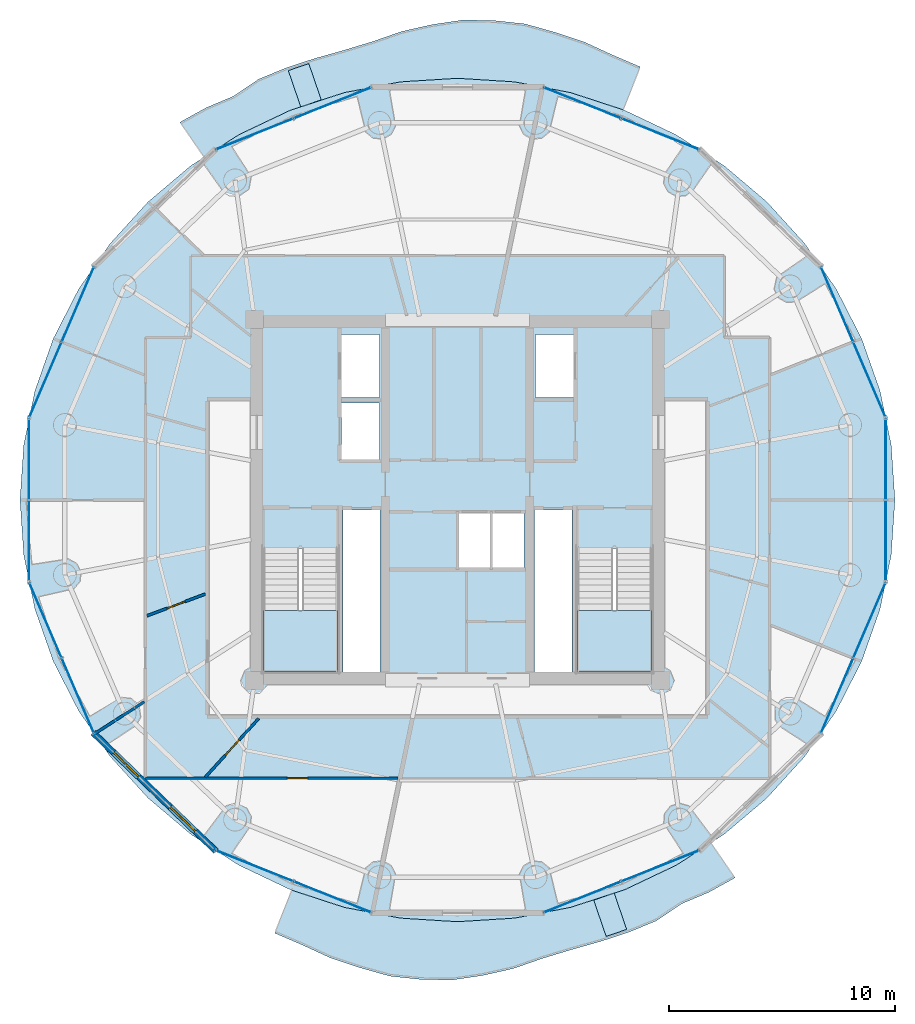
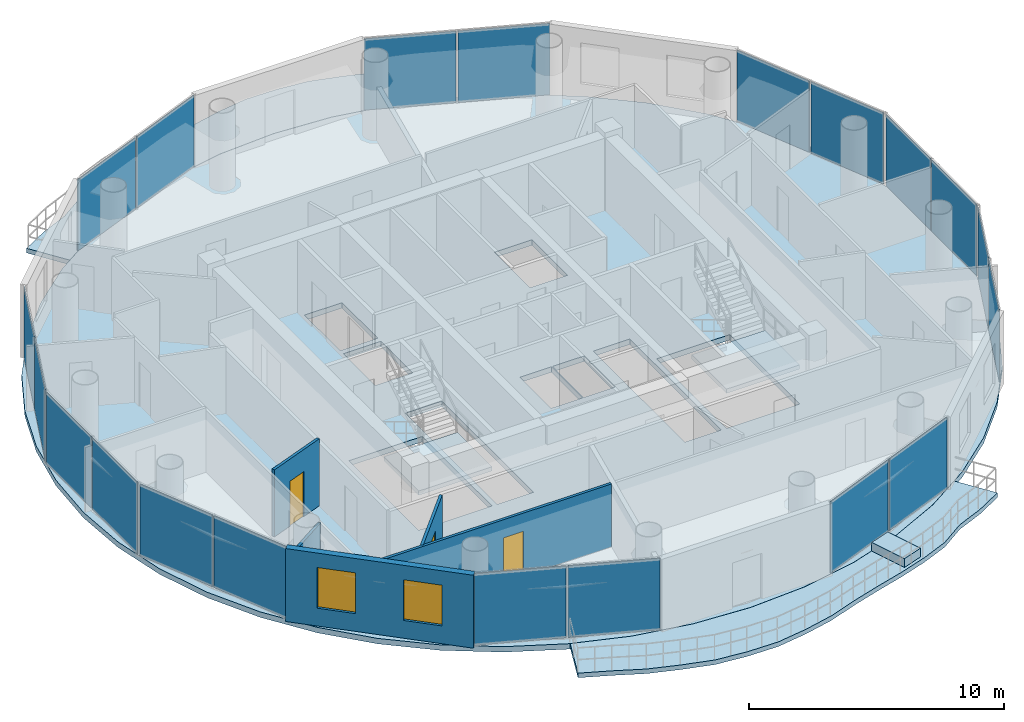
# One storey, part 13 of 21: 20 plates, 7 slabs, 5 walls, 3 doors, 2 windows, 5 openings, 12 elements without a shape of their own.
"""IFC4 building model written with IfcOpenShell, lengths in metres."""

from ifc_helpers import new_model, si_unit, direction, frame, frame_2d, origin, origin_2d, place, context, subcontext, project, spatial, polyline, rectangle, outline, extrude, source, transform, mapped, material, layer, layer_set, type_object, element, fill, aggregate, save


model = new_model("IFC4")

# Units and contexts
model_context = context("Model", 3, precision=1e-05, world=origin(), true_north=direction((-0.2419218956, 0.970295726276)))
body_context = subcontext(model_context, "Body", "Model", "MODEL_VIEW")
ifc_project = project(units=[si_unit("LENGTHUNIT", "METRE"), si_unit("AREAUNIT", "SQUARE_METRE"), si_unit("VOLUMEUNIT", "CUBIC_METRE"), si_unit("PLANEANGLEUNIT", "RADIAN"), si_unit("MASSUNIT", "GRAM", prefix="KILO")], contexts=[model_context])

# Site, building, storey
site_placement = place(None, origin())
site = spatial("IfcSite", under=ifc_project, at=site_placement, CompositionType="ELEMENT")
building_placement = place(site_placement, origin())
building = spatial("IfcBuilding", under=site, at=building_placement, Name="Cobrevalo Terracotta Tower", CompositionType="ELEMENT")
storey_placement = place(building_placement, frame((0.0, 0.0, 285.699951171875)))
storey = spatial("IfcBuildingStorey", under=building, at=storey_placement, Name="L75", CompositionType="ELEMENT", Elevation=285.699951171875)

# Stair, slab
ifc_material_1 = material(Name="Concrete C50", Category="concrete")
stair_type = type_object("IfcStairType", Name="Core protected escape dogleg stair 1600", PredefinedType="HALF_TURN_STAIR", material=ifc_material_1)
stair_1_placement = place(storey_placement, origin())
stair_1 = element("IfcStair", 1, at=stair_1_placement, inside=storey, type_object=stair_type, Name="L75 Protected exit stair ST-1", PredefinedType="HALF_TURN_STAIR")
ifc_layer_1 = layer(ifc_material_1, 0.199951171875)
ifc_layer_set_1 = layer_set([ifc_layer_1], Name="Concrete C50")
slab_type_1 = type_object("IfcSlabType", Name="Reinforced Concrete Stair Landing 200", PredefinedType="LANDING", material=ifc_layer_set_1)
slab_1_placement = place(storey_placement, frame((0.0, 0.0, 1.675048828125)))
slab_1 = element("IfcSlab", 2, at=slab_1_placement, type_object=slab_type_1, Name="ST-1 landing 1", PredefinedType="LANDING", context=body_context, shape_type="SweptSolid", body=[
    extrude(outline(polyline([(29.375, 21.89990234375), (29.375, 19.175048828125), (32.695068359375, 19.175048828125), (32.695068359375, 21.89990234375), (29.375, 21.89990234375)])), origin(), (0.0, 0.0, 1.0), 0.199951171875),
])
aggregate(stair_1, [slab_1])

stair_2_placement = place(storey_placement, origin())
stair_2 = element("IfcStair", 3, at=stair_2_placement, inside=storey, type_object=stair_type, Name="L75 Protected exit stair ST-2", PredefinedType="HALF_TURN_STAIR")
slab_2_placement = place(storey_placement, frame((0.0, 0.0, 1.675048828125)))
slab_2 = element("IfcSlab", 4, at=slab_2_placement, type_object=slab_type_1, Name="ST-2 landing 1", PredefinedType="LANDING", context=body_context, shape_type="SweptSolid", body=[
    extrude(outline(polyline([(43.304931640625, 21.89990234375), (43.304931640625, 19.175048828125), (46.625, 19.175048828125), (46.625, 21.89990234375), (43.304931640625, 21.89990234375)])), origin(), (0.0, 0.0, 1.0), 0.199951171875),
])
aggregate(stair_2, [slab_2])

# Slabs
ifc_material_2 = material(Name="Concrete C45", Category="concrete")
ifc_layer_2 = layer(ifc_material_2, 0.219970703125)
ifc_layer_set_2 = layer_set([ifc_layer_2], Name="Concrete C45")
slab_type_2 = type_object("IfcSlabType", Name="Spiralling cantilevered balcony lobe slab 220 mm", PredefinedType="FLOOR", material=ifc_layer_set_2)
slab_3_placement = place(storey_placement, frame((0.0, 0.0, -0.219970703125)))
element("IfcSlab", 5, at=slab_3_placement, inside=storey, type_object=slab_type_2, Name="L75 spiralling arc balcony slab lobe 1", PredefinedType="FLOOR", context=body_context, shape_type="SweptSolid", body=[
    extrude(outline(polyline([(46.104248046875, 46.007080078125), (44.865478515625, 46.53759765625), (43.623046875, 47.11083984375), (42.3203125, 47.541748046875), (40.988525390625, 47.915771484375), (39.6162109375, 48.061279296875), (38.23583984375, 48.08544921875), (36.8671875, 47.88134765625), (35.524169921875, 47.577392578125), (34.228515625, 47.127685546875), (32.9443359375, 46.738037109375), (31.665283203125, 46.379150390625), (30.401611328125, 45.964599609375), (29.176513671875, 45.458984375), (28.071533203125, 44.709228515625), (26.853759765625, 44.1953125), (25.69482421875, 43.553955078125), (26.759033203125, 42.004638671875), (28.299072265625, 42.996337890625), (30.5751953125, 44.078369140625), (32.978271484375, 44.86474609375), (35.467529296875, 45.342041015625), (38.0, 45.501953125), (40.532470703125, 45.342041015625), (43.021728515625, 44.86474609375), (45.352294921875, 44.10205078125), (46.104248046875, 46.007080078125)])), origin(), (0.0, 0.0, 1.0), 0.219970703125),
])
slab_4_placement = place(storey_placement, frame((0.0, 0.0, -0.219970703125)))
element("IfcSlab", 6, at=slab_4_placement, inside=storey, type_object=slab_type_2, Name="L75 spiralling arc balcony slab lobe 2", PredefinedType="FLOOR", context=body_context, shape_type="SweptSolid", body=[
    extrude(outline(polyline([(29.895751953125, 7.593017578125), (31.134521484375, 7.062255859375), (32.376953125, 6.489013671875), (33.6796875, 6.058349609375), (35.011474609375, 5.68408203125), (36.3837890625, 5.538818359375), (37.76416015625, 5.5146484375), (39.1328125, 5.71875), (40.475830078125, 6.0224609375), (41.771484375, 6.472412109375), (43.0556640625, 6.86181640625), (44.334716796875, 7.220947265625), (45.598388671875, 7.635498046875), (46.823486328125, 8.14111328125), (47.928466796875, 8.890625), (49.146240234375, 9.40478515625), (50.30517578125, 10.046142578125), (49.240966796875, 11.595458984375), (47.700927734375, 10.603515625), (45.4248046875, 9.521484375), (43.021728515625, 8.7353515625), (40.532470703125, 8.258056640625), (38.0, 8.097900390625), (35.467529296875, 8.258056640625), (32.978271484375, 8.7353515625), (30.647705078125, 9.497802734375), (29.895751953125, 7.593017578125)])), origin(), (0.0, 0.0, 1.0), 0.219970703125),
])
ifc_material_3 = material(Name="Precast concrete C45", Category="concrete")
ifc_layer_3 = layer(ifc_material_3, 0.419921875)
ifc_layer_set_3 = layer_set([ifc_layer_3], Name="Precast concrete C45")
slab_type_3 = type_object("IfcSlabType", Name="Structural tree planter trough base 420 mm", PredefinedType="USERDEFINED", material=ifc_layer_set_3)
slab_5_placement = place(storey_placement, origin())
element("IfcSlab", 7, at=slab_5_placement, inside=storey, type_object=slab_type_3, Name="L75 structural tree planter trough 1", ObjectType="PLANTER", PredefinedType="USERDEFINED", context=body_context, shape_type="SweptSolid", body=[
    extrude(outline(polyline([(31.958251953125, 44.544677734375), (31.406494140625, 46.152587890625), (30.49853515625, 45.841064453125), (31.050048828125, 44.233154296875), (31.958251953125, 44.544677734375)])), origin(), (0.0, 0.0, 1.0), 0.420166015625),
])
slab_6_placement = place(storey_placement, origin())
element("IfcSlab", 8, at=slab_6_placement, inside=storey, type_object=slab_type_3, Name="L75 structural tree planter trough 2", ObjectType="PLANTER", PredefinedType="USERDEFINED", context=body_context, shape_type="SweptSolid", body=[
    extrude(outline(polyline([(44.041748046875, 9.055419921875), (44.593505859375, 7.447265625), (45.50146484375, 7.759033203125), (44.949951171875, 9.366943359375), (44.041748046875, 9.055419921875)])), origin(), (0.0, 0.0, 1.0), 0.420166015625),
])
ifc_layer_4 = layer(ifc_material_2, 0.260009765625)
ifc_layer_set_4 = layer_set([ifc_layer_4], Name="Concrete C45")
slab_type_4 = type_object("IfcSlabType", Name="Zone Z5 elliptical floor plate 260 mm", PredefinedType="FLOOR", material=ifc_layer_set_4)
slab_7_placement = place(storey_placement, frame((0.0, 0.0, -0.260009765625)))
element("IfcSlab", 9, at=slab_7_placement, inside=storey, type_object=slab_type_4, Name="L75 indoor elliptical floor slab", PredefinedType="FLOOR", context=body_context, shape_type="SweptSolid", body=[
    extrude(outline(polyline([(57.234130859375, 24.359130859375), (56.739013671875, 21.9599609375), (55.92333984375, 19.643798828125), (54.80078125, 17.449951171875), (53.39111328125, 15.416259765625), (51.7177734375, 13.5771484375), (49.81005859375, 11.96435546875), (47.699951171875, 10.605224609375), (45.424072265625, 9.5234375), (43.02099609375, 8.7373046875), (40.5322265625, 8.260009765625), (38.0, 8.10009765625), (35.4677734375, 8.260009765625), (32.97900390625, 8.7373046875), (30.575927734375, 9.5234375), (28.300048828125, 10.605224609375), (26.18994140625, 11.96435546875), (24.2822265625, 13.5771484375), (22.60888671875, 15.416259765625), (21.19921875, 17.449951171875), (20.07666015625, 19.643798828125), (19.260986328125, 21.9599609375), (18.765869140625, 24.359130859375), (18.60009765625, 26.800048828125), (18.765869140625, 29.24072265625), (19.260986328125, 31.639892578125), (20.07666015625, 33.956298828125), (21.19921875, 36.14990234375), (22.60888671875, 38.183837890625), (24.2822265625, 40.02294921875), (26.18994140625, 41.6357421875), (28.300048828125, 42.99462890625), (30.575927734375, 44.07666015625), (32.97900390625, 44.86279296875), (35.4677734375, 45.340087890625), (38.0, 45.5), (40.5322265625, 45.340087890625), (43.02099609375, 44.86279296875), (45.424072265625, 44.07666015625), (47.699951171875, 42.99462890625), (49.81005859375, 41.6357421875), (51.7177734375, 40.02294921875), (53.39111328125, 38.183837890625), (54.80078125, 36.14990234375), (55.92333984375, 33.956298828125), (56.739013671875, 31.639892578125), (57.234130859375, 29.24072265625), (57.39990234375, 26.800048828125), (57.234130859375, 24.359130859375)]), holes=[polyline([(32.695068359375, 19.175048828125), (32.695068359375, 24.659912109375), (29.375, 24.659912109375), (29.375, 19.175048828125), (32.695068359375, 19.175048828125)]), polyline([(46.625, 19.175048828125), (46.625, 24.659912109375), (43.304931640625, 24.659912109375), (43.304931640625, 19.175048828125), (46.625, 19.175048828125)]), polyline([(34.574951171875, 26.360107421875), (32.919921875, 26.360107421875), (32.919921875, 19.175048828125), (34.574951171875, 19.175048828125), (34.574951171875, 26.360107421875)]), polyline([(43.080078125, 26.360107421875), (41.425048828125, 26.360107421875), (41.425048828125, 19.175048828125), (43.080078125, 19.175048828125), (43.080078125, 26.360107421875)]), polyline([(39.469970703125, 26.25), (38.0400390625, 26.25), (38.0400390625, 23.800048828125), (39.469970703125, 23.800048828125), (39.469970703125, 26.25)]), polyline([(40.949951171875, 26.25), (39.52001953125, 26.25), (39.52001953125, 23.800048828125), (40.949951171875, 23.800048828125), (40.949951171875, 26.25)]), polyline([(34.550048828125, 31.10009765625), (32.85009765625, 31.10009765625), (32.85009765625, 28.60009765625), (34.550048828125, 28.60009765625), (34.550048828125, 31.10009765625)]), polyline([(34.550048828125, 31.35009765625), (34.550048828125, 34.14990234375), (32.85009765625, 34.14990234375), (32.85009765625, 31.35009765625), (34.550048828125, 31.35009765625)]), polyline([(43.14990234375, 31.35009765625), (43.14990234375, 34.14990234375), (41.449951171875, 34.14990234375), (41.449951171875, 31.35009765625), (43.14990234375, 31.35009765625)])]), origin(), (0.0, 0.0, 1.0), 0.260009765625),
])

# Curtain wall, plates
ifc_material_4 = material(Name="Anodized aluminium", Category="aluminium")
curtain_wall_type = type_object("IfcCurtainWallType", Name="Upper-tower triple-glazed penthouse curtain wall CW-U3", PredefinedType="NOTDEFINED", material=ifc_material_4)
curtain_wall_1_placement = place(storey_placement, origin())
curtain_wall_1 = element("IfcCurtainWall", 10, at=curtain_wall_1_placement, inside=storey, type_object=curtain_wall_type, Name="L75 curtain wall CW-L75-S03", PredefinedType="NOTDEFINED")
ifc_material_5 = material(Name="Solar-control low-E double glazing", Category="glass")
ifc_layer_5 = layer(ifc_material_5, 0.028076171875)
ifc_layer_set_5 = layer_set([ifc_layer_5], Name="Solar-control low-E double glazing")
plate_type = type_object("IfcPlateType", Name="Tower solar-control low-E vision glass panel 28 mm", PredefinedType="CURTAIN_PANEL", material=ifc_layer_set_5)
shared_shape_1 = source(origin(), body_context, "Body", "SweptSolid", [
    extrude(rectangle(XDim=3.63916015625, YDim=0.035888671875, at=origin_2d()), origin(), (0.0, 0.0, 1.0), 3.409912109375),
])
plate_1_placement = place(storey_placement, frame((46.997314453125, 43.02783203125, 0.0400390625), z_axis=(0.0, 0.0, 1.0), x_axis=(-0.92871833374, 0.370785998353, 0.0)))
plate_1 = element("IfcPlate", 11, at=plate_1_placement, type_object=plate_type, Name="CW-L75-S03 glazing panel B01", PredefinedType="CURTAIN_PANEL", context=body_context, shape_type="MappedRepresentation", body=[
    mapped(shared_shape_1, transform((0.0, 0.0, 0.0), scale=1.0)),
])
plate_2_placement = place(storey_placement, frame((43.543212890625, 44.406982421875, 0.0400390625), z_axis=(0.0, 0.0, 1.0), x_axis=(-0.92871833374, 0.370785998353, 0.0)))
plate_2 = element("IfcPlate", 12, at=plate_2_placement, type_object=plate_type, Name="CW-L75-S03 glazing panel B02", PredefinedType="CURTAIN_PANEL", context=body_context, shape_type="MappedRepresentation", body=[
    mapped(shared_shape_1, transform((0.0, 0.0, 0.0), scale=1.0)),
])
aggregate(curtain_wall_1, [plate_1, plate_2])

curtain_wall_2_placement = place(storey_placement, origin())
curtain_wall_2 = element("IfcCurtainWall", 13, at=curtain_wall_2_placement, inside=storey, type_object=curtain_wall_type, Name="L75 curtain wall CW-L75-S05", PredefinedType="NOTDEFINED")
plate_3_placement = place(storey_placement, frame((32.456787109375, 44.406982421875, 0.0400390625), z_axis=(0.0, 0.0, 1.0), x_axis=(-0.92871833374, -0.370785998353, 0.0)))
plate_3 = element("IfcPlate", 14, at=plate_3_placement, type_object=plate_type, Name="CW-L75-S05 glazing panel B01", PredefinedType="CURTAIN_PANEL", context=body_context, shape_type="MappedRepresentation", body=[
    mapped(shared_shape_1, transform((0.0, 0.0, 0.0), scale=1.0)),
])
plate_4_placement = place(storey_placement, frame((29.002685546875, 43.02783203125, 0.0400390625), z_axis=(0.0, 0.0, 1.0), x_axis=(-0.92871833374, -0.370785998353, 0.0)))
plate_4 = element("IfcPlate", 15, at=plate_4_placement, type_object=plate_type, Name="CW-L75-S05 glazing panel B02", PredefinedType="CURTAIN_PANEL", context=body_context, shape_type="MappedRepresentation", body=[
    mapped(shared_shape_1, transform((0.0, 0.0, 0.0), scale=1.0)),
])
aggregate(curtain_wall_2, [plate_3, plate_4])

curtain_wall_3_placement = place(storey_placement, origin())
curtain_wall_3 = element("IfcCurtainWall", 16, at=curtain_wall_3_placement, inside=storey, type_object=curtain_wall_type, Name="L75 curtain wall CW-L75-S11", PredefinedType="NOTDEFINED")
plate_5_placement = place(storey_placement, frame((29.002685546875, 10.572021484375, 0.0400390625), z_axis=(0.0, 0.0, 1.0), x_axis=(0.92871833374, -0.370785998353, 0.0)))
plate_5 = element("IfcPlate", 17, at=plate_5_placement, type_object=plate_type, Name="CW-L75-S11 glazing panel B01", PredefinedType="CURTAIN_PANEL", context=body_context, shape_type="MappedRepresentation", body=[
    mapped(shared_shape_1, transform((0.0, 0.0, 0.0), scale=1.0)),
])
plate_6_placement = place(storey_placement, frame((32.456787109375, 9.193115234375, 0.0400390625), z_axis=(0.0, 0.0, 1.0), x_axis=(0.92871833374, -0.370785998353, 0.0)))
plate_6 = element("IfcPlate", 18, at=plate_6_placement, type_object=plate_type, Name="CW-L75-S11 glazing panel B02", PredefinedType="CURTAIN_PANEL", context=body_context, shape_type="MappedRepresentation", body=[
    mapped(shared_shape_1, transform((0.0, 0.0, 0.0), scale=1.0)),
])
aggregate(curtain_wall_3, [plate_5, plate_6])

curtain_wall_4_placement = place(storey_placement, origin())
curtain_wall_4 = element("IfcCurtainWall", 19, at=curtain_wall_4_placement, inside=storey, type_object=curtain_wall_type, Name="L75 curtain wall CW-L75-S13", PredefinedType="NOTDEFINED")
plate_7_placement = place(storey_placement, frame((43.543212890625, 9.193115234375, 0.0400390625), z_axis=(0.0, 0.0, 1.0), x_axis=(0.92871833374, 0.370785998353, 0.0)))
plate_7 = element("IfcPlate", 20, at=plate_7_placement, type_object=plate_type, Name="CW-L75-S13 glazing panel B01", PredefinedType="CURTAIN_PANEL", context=body_context, shape_type="MappedRepresentation", body=[
    mapped(shared_shape_1, transform((0.0, 0.0, 0.0), scale=1.0)),
])
plate_8_placement = place(storey_placement, frame((46.997314453125, 10.572021484375, 0.0400390625), z_axis=(0.0, 0.0, 1.0), x_axis=(0.92871833374, 0.370785998353, 0.0)))
plate_8 = element("IfcPlate", 21, at=plate_8_placement, type_object=plate_type, Name="CW-L75-S13 glazing panel B02", PredefinedType="CURTAIN_PANEL", context=body_context, shape_type="MappedRepresentation", body=[
    mapped(shared_shape_1, transform((0.0, 0.0, 0.0), scale=1.0)),
])
aggregate(curtain_wall_4, [plate_7, plate_8])

curtain_wall_5_placement = place(storey_placement, origin())
curtain_wall_5 = element("IfcCurtainWall", 22, at=curtain_wall_5_placement, inside=storey, type_object=curtain_wall_type, Name="L75 curtain wall CW-L75-S01", PredefinedType="NOTDEFINED")
shared_shape_2 = source(origin(), body_context, "Body", "SweptSolid", [
    extrude(rectangle(XDim=3.542724609375, YDim=0.035888671875, at=origin_2d()), origin(), (0.0, 0.0, 1.0), 3.409912109375),
])
plate_9_placement = place(storey_placement, frame((56.266845703125, 32.143310546875, 0.0400390625), z_axis=(0.0, 0.0, 1.0), x_axis=(-0.394828845134, 0.918754691444, 0.0)))
plate_9 = element("IfcPlate", 23, at=plate_9_placement, type_object=plate_type, Name="CW-L75-S01 glazing panel B01", PredefinedType="CURTAIN_PANEL", context=body_context, shape_type="MappedRepresentation", body=[
    mapped(shared_shape_2, transform((0.0, 0.0, 0.0), scale=1.0)),
])
plate_10_placement = place(storey_placement, frame((54.83642578125, 35.4716796875, 0.0400390625), z_axis=(0.0, 0.0, 1.0), x_axis=(-0.394828845134, 0.918754691444, 0.0)))
plate_10 = element("IfcPlate", 24, at=plate_10_placement, type_object=plate_type, Name="CW-L75-S01 glazing panel B02", PredefinedType="CURTAIN_PANEL", context=body_context, shape_type="MappedRepresentation", body=[
    mapped(shared_shape_2, transform((0.0, 0.0, 0.0), scale=1.0)),
])
aggregate(curtain_wall_5, [plate_9, plate_10])

curtain_wall_6_placement = place(storey_placement, origin())
curtain_wall_6 = element("IfcCurtainWall", 25, at=curtain_wall_6_placement, inside=storey, type_object=curtain_wall_type, Name="L75 curtain wall CW-L75-S07", PredefinedType="NOTDEFINED")
plate_11_placement = place(storey_placement, frame((21.16357421875, 35.4716796875, 0.0400390625), z_axis=(0.0, 0.0, 1.0), x_axis=(-0.394828845134, -0.918754691444, 0.0)))
plate_11 = element("IfcPlate", 26, at=plate_11_placement, type_object=plate_type, Name="CW-L75-S07 glazing panel B01", PredefinedType="CURTAIN_PANEL", context=body_context, shape_type="MappedRepresentation", body=[
    mapped(shared_shape_2, transform((0.0, 0.0, 0.0), scale=1.0)),
])
plate_12_placement = place(storey_placement, frame((19.733154296875, 32.143310546875, 0.0400390625), z_axis=(0.0, 0.0, 1.0), x_axis=(-0.394828845134, -0.918754691444, 0.0)))
plate_12 = element("IfcPlate", 27, at=plate_12_placement, type_object=plate_type, Name="CW-L75-S07 glazing panel B02", PredefinedType="CURTAIN_PANEL", context=body_context, shape_type="MappedRepresentation", body=[
    mapped(shared_shape_2, transform((0.0, 0.0, 0.0), scale=1.0)),
])
aggregate(curtain_wall_6, [plate_11, plate_12])

curtain_wall_7_placement = place(storey_placement, origin())
curtain_wall_7 = element("IfcCurtainWall", 28, at=curtain_wall_7_placement, inside=storey, type_object=curtain_wall_type, Name="L75 curtain wall CW-L75-S09", PredefinedType="NOTDEFINED")
plate_13_placement = place(storey_placement, frame((19.733154296875, 21.456787109375, 0.0400390625), z_axis=(0.0, 0.0, 1.0), x_axis=(0.394828845134, -0.918754691444, 0.0)))
plate_13 = element("IfcPlate", 29, at=plate_13_placement, type_object=plate_type, Name="CW-L75-S09 glazing panel B01", PredefinedType="CURTAIN_PANEL", context=body_context, shape_type="MappedRepresentation", body=[
    mapped(shared_shape_2, transform((0.0, 0.0, 0.0), scale=1.0)),
])
plate_14_placement = place(storey_placement, frame((21.16357421875, 18.12841796875, 0.0400390625), z_axis=(0.0, 0.0, 1.0), x_axis=(0.394828845134, -0.918754691444, 0.0)))
plate_14 = element("IfcPlate", 30, at=plate_14_placement, type_object=plate_type, Name="CW-L75-S09 glazing panel B02", PredefinedType="CURTAIN_PANEL", context=body_context, shape_type="MappedRepresentation", body=[
    mapped(shared_shape_2, transform((0.0, 0.0, 0.0), scale=1.0)),
])
aggregate(curtain_wall_7, [plate_13, plate_14])

curtain_wall_8_placement = place(storey_placement, origin())
curtain_wall_8 = element("IfcCurtainWall", 31, at=curtain_wall_8_placement, inside=storey, type_object=curtain_wall_type, Name="L75 curtain wall CW-L75-S15", PredefinedType="NOTDEFINED")
plate_15_placement = place(storey_placement, frame((54.83642578125, 18.12841796875, 0.0400390625), z_axis=(0.0, 0.0, 1.0), x_axis=(0.394828845134, 0.918754691444, 0.0)))
plate_15 = element("IfcPlate", 32, at=plate_15_placement, type_object=plate_type, Name="CW-L75-S15 glazing panel B01", PredefinedType="CURTAIN_PANEL", context=body_context, shape_type="MappedRepresentation", body=[
    mapped(shared_shape_2, transform((0.0, 0.0, 0.0), scale=1.0)),
])
plate_16_placement = place(storey_placement, frame((56.266845703125, 21.456787109375, 0.0400390625), z_axis=(0.0, 0.0, 1.0), x_axis=(0.394828845134, 0.918754691444, 0.0)))
plate_16 = element("IfcPlate", 33, at=plate_16_placement, type_object=plate_type, Name="CW-L75-S15 glazing panel B02", PredefinedType="CURTAIN_PANEL", context=body_context, shape_type="MappedRepresentation", body=[
    mapped(shared_shape_2, transform((0.0, 0.0, 0.0), scale=1.0)),
])
aggregate(curtain_wall_8, [plate_15, plate_16])

curtain_wall_9_placement = place(storey_placement, origin())
curtain_wall_9 = element("IfcCurtainWall", 34, at=curtain_wall_9_placement, inside=storey, type_object=curtain_wall_type, Name="L75 curtain wall CW-L75-S08", PredefinedType="NOTDEFINED")
shared_shape_3 = source(origin(), body_context, "Body", "SweptSolid", [
    extrude(rectangle(XDim=3.522216796875, YDim=0.035888671875, at=origin_2d()), origin(), (0.0, 0.0, 1.0), 3.409912109375),
])
plate_17_placement = place(storey_placement, frame((19.002197265625, 28.60107421875, 0.0400390625), z_axis=(0.0, 0.0, 1.0), x_axis=(0.0, -1.0, 0.0)))
plate_17 = element("IfcPlate", 35, at=plate_17_placement, type_object=plate_type, Name="CW-L75-S08 glazing panel B01", PredefinedType="CURTAIN_PANEL", context=body_context, shape_type="MappedRepresentation", body=[
    mapped(shared_shape_3, transform((0.0, 0.0, 0.0), scale=1.0)),
])
plate_18_placement = place(storey_placement, frame((19.002197265625, 24.998779296875, 0.0400390625), z_axis=(0.0, 0.0, 1.0), x_axis=(0.0, -1.0, 0.0)))
plate_18 = element("IfcPlate", 36, at=plate_18_placement, type_object=plate_type, Name="CW-L75-S08 glazing panel B02", PredefinedType="CURTAIN_PANEL", context=body_context, shape_type="MappedRepresentation", body=[
    mapped(shared_shape_3, transform((0.0, 0.0, 0.0), scale=1.0)),
])
aggregate(curtain_wall_9, [plate_17, plate_18])

curtain_wall_10_placement = place(storey_placement, origin())
curtain_wall_10 = element("IfcCurtainWall", 37, at=curtain_wall_10_placement, inside=storey, type_object=curtain_wall_type, Name="L75 curtain wall CW-L75-S16", PredefinedType="NOTDEFINED")
plate_19_placement = place(storey_placement, frame((56.997802734375, 24.998779296875, 0.0400390625), z_axis=(0.0, 0.0, 1.0), x_axis=(0.0, 1.0, 0.0)))
plate_19 = element("IfcPlate", 38, at=plate_19_placement, type_object=plate_type, Name="CW-L75-S16 glazing panel B01", PredefinedType="CURTAIN_PANEL", context=body_context, shape_type="MappedRepresentation", body=[
    mapped(shared_shape_3, transform((0.0, 0.0, 0.0), scale=1.0)),
])
plate_20_placement = place(storey_placement, frame((56.997802734375, 28.60107421875, 0.0400390625), z_axis=(0.0, 0.0, 1.0), x_axis=(0.0, 1.0, 0.0)))
plate_20 = element("IfcPlate", 39, at=plate_20_placement, type_object=plate_type, Name="CW-L75-S16 glazing panel B02", PredefinedType="CURTAIN_PANEL", context=body_context, shape_type="MappedRepresentation", body=[
    mapped(shared_shape_3, transform((0.0, 0.0, 0.0), scale=1.0)),
])
aggregate(curtain_wall_10, [plate_19, plate_20])

# Wall, openings, windows
ifc_material_6 = material(Name="Autoclaved aerated concrete block", Category="concrete")
ifc_layer_6 = layer(ifc_material_6, 0.280029296875)
ifc_layer_set_6 = layer_set([ifc_layer_6], Name="Autoclaved aerated concrete block")
wall_type_1 = type_object("IfcWallType", Name="Insulated tower spandrel & pier wall 280 mm with terracotta rainscreen", PredefinedType="SOLIDWALL", material=ifc_layer_set_6)
wall_1_placement = place(storey_placement, frame((21.8369140625, 16.48291015625, 0.0), z_axis=(0.0, 0.0, 1.0), x_axis=(0.719995397366, -0.69397883813, 0.0)))
wall_1 = element("IfcWall", 40, at=wall_1_placement, inside=storey, type_object=wall_type_1, Name="L75 terracotta rainscreen pier wall S10", PredefinedType="SOLIDWALL", context=body_context, shape_type="SweptSolid", body=[
    extrude(rectangle(XDim=7.582275390625, YDim=0.280029296875, at=frame_2d((3.791015625, 0.0))), origin(), (0.0, 0.0, 1.0), 3.489990234375),
])
opening_1_placement = place(wall_1_placement, frame((1.272216796875, 0.0, 0.85009765625)))
opening_1 = element("IfcOpeningElement", 41, at=opening_1_placement, cuts=wall_1, Name="Opening WN-12", PredefinedType="OPENING", context=body_context, shape_type="SweptSolid", body=[
    extrude(rectangle(XDim=1.550048828125, YDim=1.949951171875, at=frame_2d((0.77490234375, 0.97509765625))), frame((0.0, 0.14990234375, 0.0), z_axis=(0.0, -1.0, 0.0), x_axis=(1.0, 0.0, 0.0)), (0.0, 0.0, 1.0), 0.300048828125),
])
opening_2_placement = place(wall_1_placement, frame((4.76025390625, 0.0, 0.85009765625)))
opening_2 = element("IfcOpeningElement", 42, at=opening_2_placement, cuts=wall_1, Name="Opening WN-12", PredefinedType="OPENING", context=body_context, shape_type="SweptSolid", body=[
    extrude(rectangle(XDim=1.550048828125, YDim=1.949951171875, at=frame_2d((0.77490234375, 0.97509765625))), frame((0.0, 0.14990234375, 0.0), z_axis=(0.0, -1.0, 0.0), x_axis=(1.0, 0.0, 0.0)), (0.0, 0.0, 1.0), 0.300048828125),
])
window_type = type_object("IfcWindowType", Name="Solar-control low-E aluminium window 1550x1950", PartitioningType="SINGLE_PANEL", PredefinedType="WINDOW", material=ifc_material_5)
shared_shape_4 = source(origin(), body_context, "Body", "SweptSolid", [
    extrude(rectangle(XDim=1.550048828125, YDim=1.949951171875, at=frame_2d((0.77490234375, 0.97509765625))), frame((0.0, 0.030029296875, 0.0), z_axis=(0.0, -1.0, 0.0), x_axis=(1.0, 0.0, 0.0)), (0.0, 0.0, 1.0), 0.06005859375),
])
window_1_placement = place(opening_1_placement, origin())
window_1 = element("IfcWindow", 43, at=window_1_placement, inside=storey, type_object=window_type, Name="L75 suite window S10A", OverallHeight=1.949951171875, OverallWidth=1.550048828125, PartitioningType="SINGLE_PANEL", PredefinedType="WINDOW", context=body_context, shape_type="MappedRepresentation", body=[
    mapped(shared_shape_4, transform((0.0, 0.0, 0.0), scale=1.0)),
])
fill(opening_1, window_1)
window_2_placement = place(opening_2_placement, origin())
window_2 = element("IfcWindow", 44, at=window_2_placement, inside=storey, type_object=window_type, Name="L75 suite window S10B", OverallHeight=1.949951171875, OverallWidth=1.550048828125, PartitioningType="SINGLE_PANEL", PredefinedType="WINDOW", context=body_context, shape_type="MappedRepresentation", body=[
    mapped(shared_shape_4, transform((0.0, 0.0, 0.0), scale=1.0)),
])
fill(opening_2, window_2)

# Wall, opening, door
ifc_material_7 = material(Name="Gypsum board on steel stud", Category="steel")
ifc_layer_7 = layer(ifc_material_7, 0.1201171875)
ifc_layer_set_7 = layer_set([ifc_layer_7], Name="Gypsum board on steel stud")
wall_type_2 = type_object("IfcWallType", Name="Residential internal acoustic stud partition 120 mm", PredefinedType="PARTITIONING", material=ifc_layer_set_7)
wall_2_placement = place(storey_placement, frame((35.3525390625, 14.465087890625, 0.0), z_axis=(0.0, 0.0, 1.0), x_axis=(-1.0, 0.0, 0.0)))
wall_2 = element("IfcWall", 45, at=wall_2_placement, inside=storey, type_object=wall_type_2, Name="L75 interior partition IW-L75-U1-RING0_0", PredefinedType="PARTITIONING", context=body_context, shape_type="SweptSolid", body=[
    extrude(rectangle(XDim=11.1875, YDim=0.1201171875, at=frame_2d((5.59375, 0.0))), origin(), (0.0, 0.0, 1.0), 3.01513671875),
])
opening_3_placement = place(wall_2_placement, frame((3.997314453125, 0.0, 0.0)))
opening_3 = element("IfcOpeningElement", 46, at=opening_3_placement, cuts=wall_2, Name="Opening ID-12", PredefinedType="OPENING", context=body_context, shape_type="SweptSolid", body=[
    extrude(rectangle(XDim=0.89990234375, YDim=2.14990234375, at=frame_2d((0.449951171875, 1.074951171875))), frame((0.0, 0.070068359375, 0.0), z_axis=(0.0, -1.0, 0.0), x_axis=(1.0, 0.0, 0.0)), (0.0, 0.0, 1.0), 0.14013671875),
])
ifc_material_8 = material(Name="Engineered timber", Category="wood")
door_type_1 = type_object("IfcDoorType", Name="Internal residence & suite timber door 900x2150", OperationType="NOTDEFINED", PredefinedType="DOOR", material=ifc_material_8)
shared_shape_5 = source(origin(), body_context, "Body", "SweptSolid", [
    extrude(rectangle(XDim=0.89990234375, YDim=2.14990234375, at=frame_2d((0.449951171875, 1.074951171875))), frame((0.0, 0.02490234375, 0.0), z_axis=(0.0, -1.0, 0.0), x_axis=(1.0, 0.0, 0.0)), (0.0, 0.0, 1.0), 0.050048828125),
])
door_1_placement = place(opening_3_placement, origin())
door_1 = element("IfcDoor", 47, at=door_1_placement, inside=storey, type_object=door_type_1, Name="Flat L75A Private Cinema Room internal door", OperationType="SINGLE_SWING_LEFT", OverallHeight=2.14990234375, OverallWidth=0.89990234375, PredefinedType="DOOR", context=body_context, shape_type="MappedRepresentation", body=[
    mapped(shared_shape_5, transform((0.0, 0.0, 0.0), scale=1.0)),
])
fill(opening_3, door_1)

# Wall
wall_3_placement = place(storey_placement, frame((24.11279296875, 17.855712890625, 0.0), z_axis=(0.0, 0.0, 1.0), x_axis=(-0.840708587197, -0.54148783127, 0.0)))
element("IfcWall", 48, at=wall_3_placement, inside=storey, type_object=wall_type_2, Name="L75 interior partition IW-L75-U1-ORAD3", PredefinedType="PARTITIONING", context=body_context, shape_type="SweptSolid", body=[
    extrude(rectangle(XDim=2.567626953125, YDim=0.1201171875, at=frame_2d((1.28369140625, 0.0))), origin(), (0.0, 0.0, 1.0), 3.01513671875),
])

# Wall, opening, door
wall_4_placement = place(storey_placement, frame((26.81494140625, 22.62890625, 0.0), z_axis=(0.0, 0.0, 1.0), x_axis=(-0.93696600231, -0.349420535338, 0.0)))
wall_4 = element("IfcWall", 49, at=wall_4_placement, inside=storey, type_object=wall_type_2, Name="L75 interior partition IW-L75-U1-IRAD4", PredefinedType="PARTITIONING", context=body_context, shape_type="SweptSolid", body=[
    extrude(rectangle(XDim=2.76611328125, YDim=0.1201171875, at=frame_2d((1.383056640625, 0.0))), origin(), (0.0, 0.0, 1.0), 3.208984375),
])
opening_4_placement = place(wall_4_placement, frame((0.953125, 0.0, 0.0)))
opening_4 = element("IfcOpeningElement", 50, at=opening_4_placement, cuts=wall_4, Name="Opening ID-19", PredefinedType="OPENING", context=body_context, shape_type="SweptSolid", body=[
    extrude(rectangle(XDim=0.860107421875, YDim=2.14990234375, at=frame_2d((0.43017578125, 1.074951171875))), frame((0.0, 0.070068359375, 0.0), z_axis=(0.0, -1.0, 0.0), x_axis=(1.0, 0.0, 0.0)), (0.0, 0.0, 1.0), 0.14013671875),
])
ifc_material_9 = material(Name="Moisture-sealed timber", Category="wood")
door_type_2 = type_object("IfcDoorType", Name="Suite bathroom internal timber door 860x2150", OperationType="NOTDEFINED", PredefinedType="DOOR", material=ifc_material_9)
shared_shape_6 = source(origin(), body_context, "Body", "SweptSolid", [
    extrude(rectangle(XDim=0.860107421875, YDim=2.14990234375, at=frame_2d((0.43017578125, 1.074951171875))), frame((0.0, 0.02490234375, 0.0), z_axis=(0.0, -1.0, 0.0), x_axis=(1.0, 0.0, 0.0)), (0.0, 0.0, 1.0), 0.050048828125),
])
door_2_placement = place(opening_4_placement, frame((0.860107421875, 0.0, 0.0), z_axis=(0.0, 0.0, 1.0), x_axis=(-1.0, 0.0, 0.0)))
door_2 = element("IfcDoor", 51, at=door_2_placement, inside=storey, type_object=door_type_2, Name="Flat L75A Primary Bathroom internal door", OperationType="SINGLE_SWING_RIGHT", OverallHeight=2.14990234375, OverallWidth=0.860107421875, PredefinedType="DOOR", context=body_context, shape_type="MappedRepresentation", body=[
    mapped(shared_shape_6, transform((0.0, 0.0, 0.0), scale=1.0)),
])
fill(opening_4, door_2)

wall_5_placement = place(storey_placement, frame((29.1884765625, 17.114990234375, 0.0), z_axis=(0.0, 0.0, 1.0), x_axis=(-0.67292817107, -0.739707831904, 0.0)))
wall_5 = element("IfcWall", 52, at=wall_5_placement, inside=storey, type_object=wall_type_2, Name="L75 interior partition IW-L75-U1-IRAD5", PredefinedType="PARTITIONING", context=body_context, shape_type="SweptSolid", body=[
    extrude(rectangle(XDim=3.520751953125, YDim=0.1201171875, at=frame_2d((1.76025390625, 0.0))), origin(), (0.0, 0.0, 1.0), 3.01513671875),
])
opening_5_placement = place(wall_5_placement, frame((1.310302734375, 0.0, 0.0)))
opening_5 = element("IfcOpeningElement", 53, at=opening_5_placement, cuts=wall_5, Name="Opening ID-12", PredefinedType="OPENING", context=body_context, shape_type="SweptSolid", body=[
    extrude(rectangle(XDim=0.89990234375, YDim=2.14990234375, at=frame_2d((0.449951171875, 1.074951171875))), frame((0.0, 0.070068359375, 0.0), z_axis=(0.0, -1.0, 0.0), x_axis=(1.0, 0.0, 0.0)), (0.0, 0.0, 1.0), 0.14013671875),
])
door_3_placement = place(opening_5_placement, origin())
door_3 = element("IfcDoor", 54, at=door_3_placement, inside=storey, type_object=door_type_1, Name="Flat L75A Kitchen internal door", OperationType="SINGLE_SWING_LEFT", OverallHeight=2.14990234375, OverallWidth=0.89990234375, PredefinedType="DOOR", context=body_context, shape_type="MappedRepresentation", body=[
    mapped(shared_shape_5, transform((0.0, 0.0, 0.0), scale=1.0)),
])
fill(opening_5, door_3)

save(model, "model.ifc")
